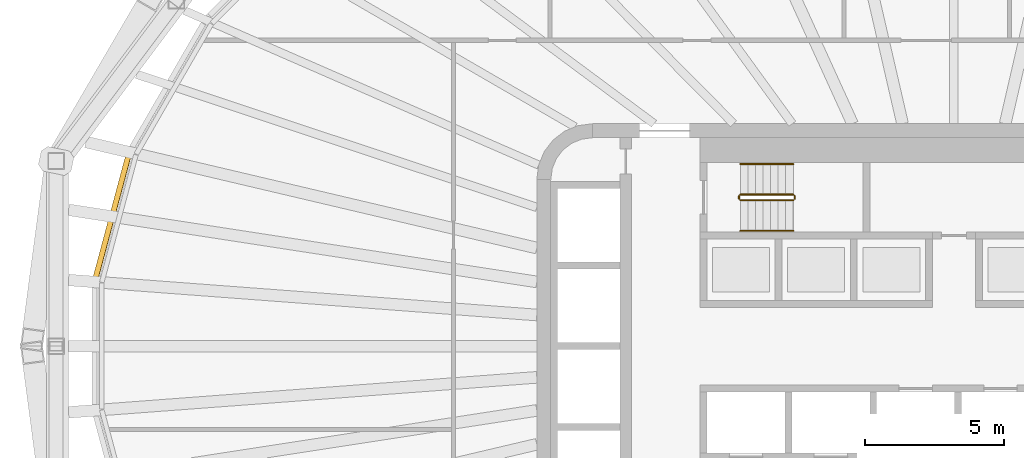
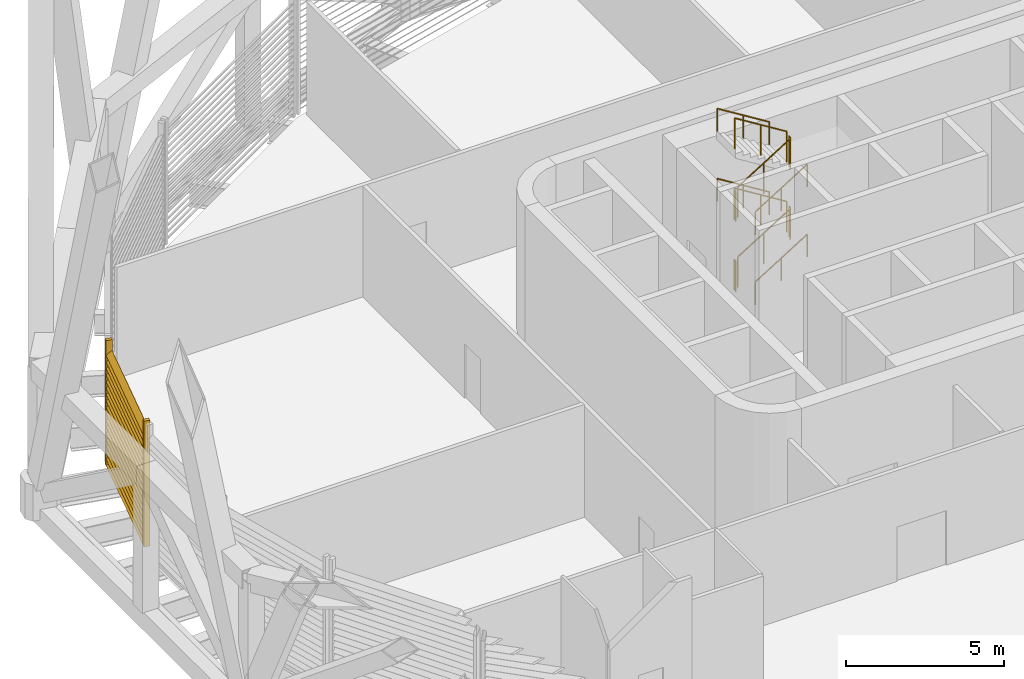
# One storey, part 13 of 18: 12 railings, 1 shading device.
"""IFC4 building model written with IfcOpenShell, lengths in metres."""

from ifc_helpers import new_model, si_unit, direction, frame, origin, origin_2d, place, context, subcontext, project, spatial, rectangle, circle, extrude, material, type_object, element, save


model = new_model("IFC4")

# Units and contexts
model_context = context("Model", 3, precision=1e-05, world=origin(), true_north=direction((0.0, 1.0)))
body_context = subcontext(model_context, "Body", "Model", "MODEL_VIEW")
ifc_project = project(units=[si_unit("LENGTHUNIT", "METRE"), si_unit("AREAUNIT", "SQUARE_METRE"), si_unit("VOLUMEUNIT", "CUBIC_METRE"), si_unit("PLANEANGLEUNIT", "RADIAN"), si_unit("MASSUNIT", "GRAM", prefix="KILO")], contexts=[model_context])

# Site, building, storey
site_placement = place(None, origin())
site = spatial("IfcSite", under=ifc_project, at=site_placement, CompositionType="ELEMENT")
building_placement = place(site_placement, origin())
building = spatial("IfcBuilding", under=site, at=building_placement, Name="Sahrelin Media Tower", CompositionType="ELEMENT")
storey_placement = place(building_placement, frame((0.0, 0.0, 197.60009765625)))
storey = spatial("IfcBuildingStorey", under=building, at=storey_placement, Name="L42", CompositionType="ELEMENT", Elevation=197.60009765625)

# Shading device
ifc_material_1 = material(Name="Champagne anodised aluminium 6063-T6", Category="aluminium")
shading_device_type = type_object("IfcShadingDeviceType", Name="Sand-rejection louvre band", PredefinedType="USERDEFINED", material=ifc_material_1)
shading_device_placement = place(storey_placement, frame((-30.1767578125, 4.627197265625, 0.0), z_axis=(0.0, 0.0, 1.0), x_axis=(0.258807731996, 0.965928857556, 0.0)))
element("IfcShadingDevice", 1, at=shading_device_placement, inside=storey, type_object=shading_device_type, Name="L42:LOUVRE:L42-11", ObjectType="LOUVRE", PredefinedType="USERDEFINED", context=body_context, shape_type="SweptSolid", body=[
    extrude(rectangle(XDim=0.1201171875, YDim=0.199951171875, at=origin_2d()), frame((2.29736328125, 0.10009765625, 0.050048828125), z_axis=(0.0, 0.0, 1.0), x_axis=(1.0, 0.0, 0.0)), (0.0, 0.0, 1.0), 4.8486328125),
    extrude(rectangle(XDim=0.1201171875, YDim=0.199951171875, at=origin_2d()), frame((-2.29736328125, 0.10009765625, 0.050048828125), z_axis=(0.0, 0.0, 1.0), x_axis=(1.0, 0.0, 0.0)), (0.0, 0.0, 1.0), 4.8486328125),
    extrude(rectangle(XDim=0.25, YDim=0.02001953125, at=origin_2d()), frame((2.2373046875, 0.10009765625, 0.14990234375), z_axis=(-1.0, 0.0, 0.0), x_axis=(0.0, -0.766044443119, 0.642787609687)), (0.0, 0.0, 1.0), 4.474609375),
    extrude(rectangle(XDim=0.25, YDim=0.02001953125, at=origin_2d()), frame((2.2373046875, 0.10009765625, 0.39990234375), z_axis=(-1.0, 0.0, 0.0), x_axis=(0.0, -0.766044443119, 0.642787609687)), (0.0, 0.0, 1.0), 4.474609375),
    extrude(rectangle(XDim=0.25, YDim=0.02001953125, at=origin_2d()), frame((2.2373046875, 0.10009765625, 0.64990234375), z_axis=(-1.0, 0.0, 0.0), x_axis=(0.0, -0.766044443119, 0.642787609687)), (0.0, 0.0, 1.0), 4.474609375),
    extrude(rectangle(XDim=0.25, YDim=0.02001953125, at=origin_2d()), frame((2.2373046875, 0.10009765625, 0.89990234375), z_axis=(-1.0, 0.0, 0.0), x_axis=(0.0, -0.766044443119, 0.642787609687)), (0.0, 0.0, 1.0), 4.474609375),
    extrude(rectangle(XDim=0.25, YDim=0.02001953125, at=origin_2d()), frame((2.2373046875, 0.10009765625, 1.14990234375), z_axis=(-1.0, 0.0, 0.0), x_axis=(0.0, -0.766044443119, 0.642787609687)), (0.0, 0.0, 1.0), 4.474609375),
    extrude(rectangle(XDim=0.25, YDim=0.02001953125, at=origin_2d()), frame((2.2373046875, 0.10009765625, 1.39990234375), z_axis=(-1.0, 0.0, 0.0), x_axis=(0.0, -0.766044443119, 0.642787609687)), (0.0, 0.0, 1.0), 4.474609375),
    extrude(rectangle(XDim=0.25, YDim=0.02001953125, at=origin_2d()), frame((2.2373046875, 0.10009765625, 1.64990234375), z_axis=(-1.0, 0.0, 0.0), x_axis=(0.0, -0.766044443119, 0.642787609687)), (0.0, 0.0, 1.0), 4.474609375),
    extrude(rectangle(XDim=0.25, YDim=0.02001953125, at=origin_2d()), frame((2.2373046875, 0.10009765625, 1.89990234375), z_axis=(-1.0, 0.0, 0.0), x_axis=(0.0, -0.766044443119, 0.642787609687)), (0.0, 0.0, 1.0), 4.474609375),
    extrude(rectangle(XDim=0.25, YDim=0.02001953125, at=origin_2d()), frame((2.2373046875, 0.10009765625, 2.14990234375), z_axis=(-1.0, 0.0, 0.0), x_axis=(0.0, -0.766044443119, 0.642787609687)), (0.0, 0.0, 1.0), 4.474609375),
    extrude(rectangle(XDim=0.25, YDim=0.02001953125, at=origin_2d()), frame((2.2373046875, 0.10009765625, 2.39990234375), z_axis=(-1.0, 0.0, 0.0), x_axis=(0.0, -0.766044443119, 0.642787609687)), (0.0, 0.0, 1.0), 4.474609375),
    extrude(rectangle(XDim=0.25, YDim=0.02001953125, at=origin_2d()), frame((2.2373046875, 0.10009765625, 2.64990234375), z_axis=(-1.0, 0.0, 0.0), x_axis=(0.0, -0.766044443119, 0.642787609687)), (0.0, 0.0, 1.0), 4.474609375),
    extrude(rectangle(XDim=0.25, YDim=0.02001953125, at=origin_2d()), frame((2.2373046875, 0.10009765625, 2.89990234375), z_axis=(-1.0, 0.0, 0.0), x_axis=(0.0, -0.766044443119, 0.642787609687)), (0.0, 0.0, 1.0), 4.474609375),
    extrude(rectangle(XDim=0.25, YDim=0.02001953125, at=origin_2d()), frame((2.2373046875, 0.10009765625, 3.14990234375), z_axis=(-1.0, 0.0, 0.0), x_axis=(0.0, -0.766044443119, 0.642787609687)), (0.0, 0.0, 1.0), 4.474609375),
    extrude(rectangle(XDim=0.25, YDim=0.02001953125, at=origin_2d()), frame((2.2373046875, 0.10009765625, 3.39990234375), z_axis=(-1.0, 0.0, 0.0), x_axis=(0.0, -0.766044443119, 0.642787609687)), (0.0, 0.0, 1.0), 4.474609375),
    extrude(rectangle(XDim=0.25, YDim=0.02001953125, at=origin_2d()), frame((2.2373046875, 0.10009765625, 3.64990234375), z_axis=(-1.0, 0.0, 0.0), x_axis=(0.0, -0.766044443119, 0.642787609687)), (0.0, 0.0, 1.0), 4.474609375),
    extrude(rectangle(XDim=0.25, YDim=0.02001953125, at=origin_2d()), frame((2.2373046875, 0.10009765625, 3.89990234375), z_axis=(-1.0, 0.0, 0.0), x_axis=(0.0, -0.766044443119, 0.642787609687)), (0.0, 0.0, 1.0), 4.474609375),
    extrude(rectangle(XDim=0.25, YDim=0.02001953125, at=origin_2d()), frame((2.2373046875, 0.10009765625, 4.14990234375), z_axis=(-1.0, 0.0, 0.0), x_axis=(0.0, -0.766044443119, 0.642787609687)), (0.0, 0.0, 1.0), 4.474609375),
    extrude(rectangle(XDim=0.25, YDim=0.02001953125, at=origin_2d()), frame((2.2373046875, 0.10009765625, 4.39990234375), z_axis=(-1.0, 0.0, 0.0), x_axis=(0.0, -0.766044443119, 0.642787609687)), (0.0, 0.0, 1.0), 4.474609375),
])

# Railings
ifc_material_2 = material(Name="Steel S355", Category="steel")
railing_type_1 = type_object("IfcRailingType", Name="Stair guard 1200", PredefinedType="GUARDRAIL", material=ifc_material_2)
railing_1_placement = place(storey_placement, frame((-7.675048828125, 5.25, 0.168701171875)))
element("IfcRailing", 2, at=railing_1_placement, inside=storey, type_object=railing_type_1, Name="L42 ST1 stair guard 1", PredefinedType="GUARDRAIL", context=body_context, shape_type="SweptSolid", body=[
    extrude(circle(Radius=0.02392578125, at=origin_2d()), frame((0.0, 0.0, 1.17578125), z_axis=(0.849289292259, 0.0, 0.527927739425), x_axis=(0.0, 1.0, 0.0)), (0.0, 0.0, 1.0), 2.2373046875),
    extrude(circle(Radius=0.02099609375, at=origin_2d()), origin(), (0.0, 0.0, 1.0), 1.15185546875),
    extrude(circle(Radius=0.02099609375, at=origin_2d()), frame((0.9501953125, 0.0, 0.590576171875)), (0.0, 0.0, 1.0), 1.15185546875),
    extrude(circle(Radius=0.02099609375, at=origin_2d()), frame((1.900146484375, 0.0, 1.18115234375)), (0.0, 0.0, 1.0), 1.15185546875),
])
railing_2_placement = place(storey_placement, frame((-5.72509765625, 5.300048828125, 1.349853515625)))
element("IfcRailing", 3, at=railing_2_placement, inside=storey, type_object=railing_type_1, Name="L42 ST1 stair guard 2", PredefinedType="GUARDRAIL", context=body_context, shape_type="SweptSolid", body=[
    extrude(circle(Radius=0.02392578125, at=origin_2d()), frame((0.0, 0.0, 1.17578125), z_axis=(0.0, 1.0, 0.0), x_axis=(-1.0, 0.0, 0.0)), (0.0, 0.0, 1.0), 0.099853515625),
    extrude(circle(Radius=0.02099609375, at=origin_2d()), origin(), (0.0, 0.0, 1.0), 1.15185546875),
    extrude(circle(Radius=0.02099609375, at=origin_2d()), frame((0.0, 0.099853515625, 0.0)), (0.0, 0.0, 1.0), 1.15185546875),
])
railing_3_placement = place(storey_placement, frame((-5.77490234375, 5.449951171875, 1.5185546875)))
element("IfcRailing", 4, at=railing_3_placement, inside=storey, type_object=railing_type_1, Name="L42 ST1 stair guard 3", PredefinedType="GUARDRAIL", context=body_context, shape_type="SweptSolid", body=[
    extrude(circle(Radius=0.02392578125, at=origin_2d()), frame((0.0, 0.0, 1.17578125), z_axis=(-0.849240365539, 0.0, 0.528006440812), x_axis=(0.0, -1.0, 0.0)), (0.0, 0.0, 1.0), 2.237548828125),
    extrude(circle(Radius=0.02099609375, at=origin_2d()), origin(), (0.0, 0.0, 1.0), 1.15185546875),
    extrude(circle(Radius=0.02099609375, at=origin_2d()), frame((-0.9501953125, 0.0, 0.5908203125)), (0.0, 0.0, 1.0), 1.15185546875),
    extrude(circle(Radius=0.02099609375, at=origin_2d()), frame((-1.900146484375, 0.0, 1.181396484375)), (0.0, 0.0, 1.0), 1.15185546875),
])
railing_4_placement = place(storey_placement, frame((-7.72509765625, 5.300048828125, 2.699951171875)))
element("IfcRailing", 5, at=railing_4_placement, inside=storey, type_object=railing_type_1, Name="L42 ST1 stair guard 4", PredefinedType="GUARDRAIL", context=body_context, shape_type="SweptSolid", body=[
    extrude(circle(Radius=0.02392578125, at=origin_2d()), frame((0.0, 0.0, 1.17578125), z_axis=(0.0, 1.0, 0.0), x_axis=(-1.0, 0.0, 0.0)), (0.0, 0.0, 1.0), 0.099853515625),
    extrude(circle(Radius=0.02099609375, at=origin_2d()), origin(), (0.0, 0.0, 1.0), 1.15185546875),
    extrude(circle(Radius=0.02099609375, at=origin_2d()), frame((0.0, 0.099853515625, 0.0)), (0.0, 0.0, 1.0), 1.15185546875),
])
railing_5_placement = place(storey_placement, frame((-7.675048828125, 5.25, 2.86865234375)))
element("IfcRailing", 6, at=railing_5_placement, inside=storey, type_object=railing_type_1, Name="L42 ST1 stair guard 5", PredefinedType="GUARDRAIL", context=body_context, shape_type="SweptSolid", body=[
    extrude(circle(Radius=0.02392578125, at=origin_2d()), frame((0.0, 0.0, 1.17578125), z_axis=(0.849289292259, 0.0, 0.527927739425), x_axis=(0.0, 1.0, 0.0)), (0.0, 0.0, 1.0), 2.2373046875),
    extrude(circle(Radius=0.02099609375, at=origin_2d()), origin(), (0.0, 0.0, 1.0), 1.15185546875),
    extrude(circle(Radius=0.02099609375, at=origin_2d()), frame((0.9501953125, 0.0, 0.590576171875)), (0.0, 0.0, 1.0), 1.15185546875),
    extrude(circle(Radius=0.02099609375, at=origin_2d()), frame((1.900146484375, 0.0, 1.18115234375)), (0.0, 0.0, 1.0), 1.15185546875),
])
railing_6_placement = place(storey_placement, frame((-5.72509765625, 5.300048828125, 4.0498046875)))
element("IfcRailing", 7, at=railing_6_placement, inside=storey, type_object=railing_type_1, Name="L42 ST1 stair guard 6", PredefinedType="GUARDRAIL", context=body_context, shape_type="SweptSolid", body=[
    extrude(circle(Radius=0.02392578125, at=origin_2d()), frame((0.0, 0.0, 1.17578125), z_axis=(0.0, 1.0, 0.0), x_axis=(-1.0, 0.0, 0.0)), (0.0, 0.0, 1.0), 0.099853515625),
    extrude(circle(Radius=0.02099609375, at=origin_2d()), origin(), (0.0, 0.0, 1.0), 1.15185546875),
    extrude(circle(Radius=0.02099609375, at=origin_2d()), frame((0.0, 0.099853515625, 0.0)), (0.0, 0.0, 1.0), 1.15185546875),
])
railing_7_placement = place(storey_placement, frame((-5.77490234375, 5.449951171875, 4.21875)))
element("IfcRailing", 8, at=railing_7_placement, inside=storey, type_object=railing_type_1, Name="L42 ST1 stair guard 7", PredefinedType="GUARDRAIL", context=body_context, shape_type="SweptSolid", body=[
    extrude(circle(Radius=0.02392578125, at=origin_2d()), frame((0.0, 0.0, 1.17578125), z_axis=(-0.849289292259, 0.0, 0.527927739425), x_axis=(0.0, -1.0, 0.0)), (0.0, 0.0, 1.0), 2.2373046875),
    extrude(circle(Radius=0.02099609375, at=origin_2d()), origin(), (0.0, 0.0, 1.0), 1.15185546875),
    extrude(circle(Radius=0.02099609375, at=origin_2d()), frame((-0.9501953125, 0.0, 0.590576171875)), (0.0, 0.0, 1.0), 1.15185546875),
    extrude(circle(Radius=0.02099609375, at=origin_2d()), frame((-1.900146484375, 0.0, 1.18115234375)), (0.0, 0.0, 1.0), 1.15185546875),
])
railing_8_placement = place(storey_placement, frame((-7.72509765625, 5.300048828125, 0.0)))
element("IfcRailing", 9, at=railing_8_placement, inside=storey, type_object=railing_type_1, Name="L42 ST1 stair guard 8", PredefinedType="GUARDRAIL", context=body_context, shape_type="SweptSolid", body=[
    extrude(circle(Radius=0.02392578125, at=origin_2d()), frame((0.0, 0.0, 1.17578125), z_axis=(0.0, 1.0, 0.0), x_axis=(-1.0, 0.0, 0.0)), (0.0, 0.0, 1.0), 0.099853515625),
    extrude(circle(Radius=0.02099609375, at=origin_2d()), origin(), (0.0, 0.0, 1.0), 1.15185546875),
    extrude(circle(Radius=0.02099609375, at=origin_2d()), frame((0.0, 0.099853515625, 0.0)), (0.0, 0.0, 1.0), 1.15185546875),
])
railing_type_2 = type_object("IfcRailingType", Name="Stair handrail 900", PredefinedType="HANDRAIL", material=ifc_material_2)
railing_9_placement = place(storey_placement, frame((-7.675048828125, 4.14990234375, 0.168701171875)))
element("IfcRailing", 10, at=railing_9_placement, inside=storey, type_object=railing_type_2, Name="L42 ST1 stair handrail 1", PredefinedType="HANDRAIL", context=body_context, shape_type="SweptSolid", body=[
    extrude(circle(Radius=0.02392578125, at=origin_2d()), frame((0.0, 0.0, 0.8759765625), z_axis=(0.849289292259, 0.0, 0.527927739425), x_axis=(0.0, 1.0, 0.0)), (0.0, 0.0, 1.0), 2.2373046875),
    extrude(circle(Radius=0.02099609375, at=origin_2d()), origin(), (0.0, 0.0, 1.0), 0.851806640625),
    extrude(circle(Radius=0.02099609375, at=origin_2d()), frame((0.9501953125, 0.0, 0.590576171875)), (0.0, 0.0, 1.0), 0.851806640625),
    extrude(circle(Radius=0.02099609375, at=origin_2d()), frame((1.900146484375, 0.0, 1.18115234375)), (0.0, 0.0, 1.0), 0.851806640625),
])
railing_10_placement = place(storey_placement, frame((-5.77490234375, 6.550048828125, 1.5185546875)))
element("IfcRailing", 11, at=railing_10_placement, inside=storey, type_object=railing_type_2, Name="L42 ST1 stair handrail 2", PredefinedType="HANDRAIL", context=body_context, shape_type="SweptSolid", body=[
    extrude(circle(Radius=0.02392578125, at=origin_2d()), frame((0.0, 0.0, 0.8759765625), z_axis=(-0.849240365539, 0.0, 0.528006440812), x_axis=(0.0, -1.0, 0.0)), (0.0, 0.0, 1.0), 2.237548828125),
    extrude(circle(Radius=0.02099609375, at=origin_2d()), origin(), (0.0, 0.0, 1.0), 0.851806640625),
    extrude(circle(Radius=0.02099609375, at=origin_2d()), frame((-0.9501953125, 0.0, 0.5908203125)), (0.0, 0.0, 1.0), 0.851806640625),
    extrude(circle(Radius=0.02099609375, at=origin_2d()), frame((-1.900146484375, 0.0, 1.181396484375)), (0.0, 0.0, 1.0), 0.851806640625),
])
railing_11_placement = place(storey_placement, frame((-7.675048828125, 4.14990234375, 2.86865234375)))
element("IfcRailing", 12, at=railing_11_placement, inside=storey, type_object=railing_type_2, Name="L42 ST1 stair handrail 3", PredefinedType="HANDRAIL", context=body_context, shape_type="SweptSolid", body=[
    extrude(circle(Radius=0.02392578125, at=origin_2d()), frame((0.0, 0.0, 0.8759765625), z_axis=(0.849289292259, 0.0, 0.527927739425), x_axis=(0.0, 1.0, 0.0)), (0.0, 0.0, 1.0), 2.2373046875),
    extrude(circle(Radius=0.02099609375, at=origin_2d()), origin(), (0.0, 0.0, 1.0), 0.851806640625),
    extrude(circle(Radius=0.02099609375, at=origin_2d()), frame((0.9501953125, 0.0, 0.590576171875)), (0.0, 0.0, 1.0), 0.851806640625),
    extrude(circle(Radius=0.02099609375, at=origin_2d()), frame((1.900146484375, 0.0, 1.18115234375)), (0.0, 0.0, 1.0), 0.851806640625),
])
railing_12_placement = place(storey_placement, frame((-5.77490234375, 6.550048828125, 4.21875)))
element("IfcRailing", 13, at=railing_12_placement, inside=storey, type_object=railing_type_2, Name="L42 ST1 stair handrail 4", PredefinedType="HANDRAIL", context=body_context, shape_type="SweptSolid", body=[
    extrude(circle(Radius=0.02392578125, at=origin_2d()), frame((0.0, 0.0, 0.8759765625), z_axis=(-0.849289292259, 0.0, 0.527927739425), x_axis=(0.0, -1.0, 0.0)), (0.0, 0.0, 1.0), 2.2373046875),
    extrude(circle(Radius=0.02099609375, at=origin_2d()), origin(), (0.0, 0.0, 1.0), 0.851806640625),
    extrude(circle(Radius=0.02099609375, at=origin_2d()), frame((-0.9501953125, 0.0, 0.590576171875)), (0.0, 0.0, 1.0), 0.851806640625),
    extrude(circle(Radius=0.02099609375, at=origin_2d()), frame((-1.900146484375, 0.0, 1.18115234375)), (0.0, 0.0, 1.0), 0.851806640625),
])

save(model, "model.ifc")
